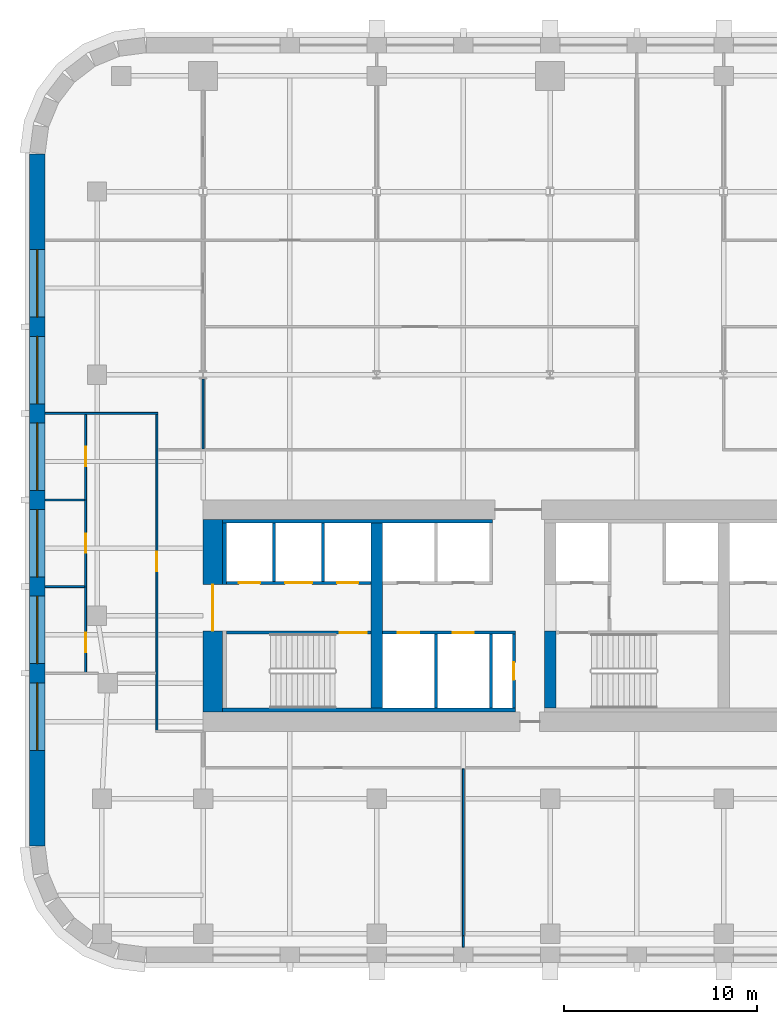
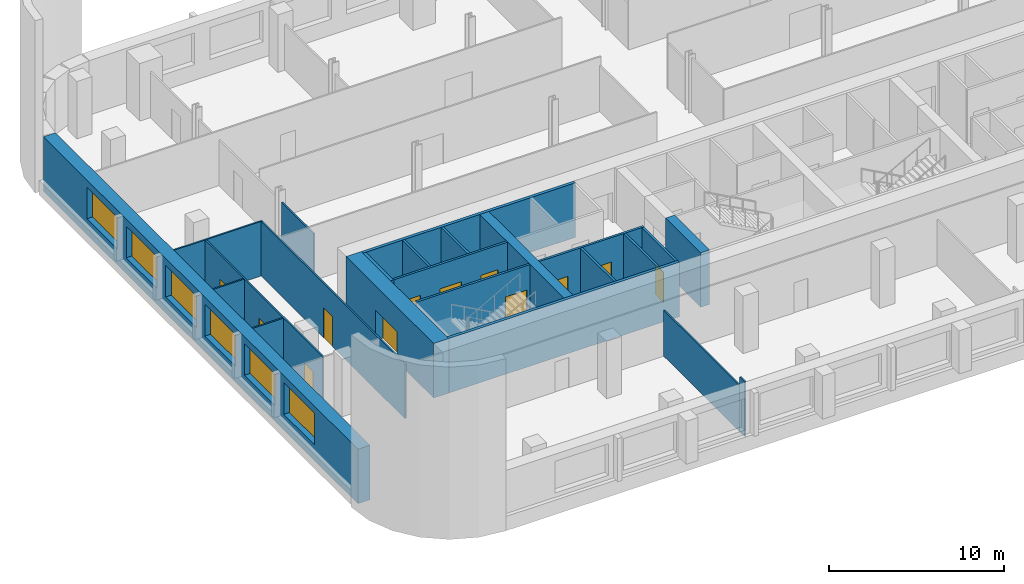
# One storey, part 3 of 10: 23 walls, 12 doors, 6 windows, 18 openings.
"""IFC4 building model written with IfcOpenShell, lengths in metres."""

from ifc_helpers import new_model, si_unit, direction, frame, frame_2d, origin, place, context, subcontext, project, spatial, rectangle, extrude, material, layer, layer_set, type_object, element, fill, save


model = new_model("IFC4")

# Units and contexts
model_context = context("Model", 3, precision=1e-05, world=origin(), true_north=direction((0.0, 1.0)))
body_context = subcontext(model_context, "Body", "Model", "MODEL_VIEW")
ifc_project = project(units=[si_unit("LENGTHUNIT", "METRE"), si_unit("AREAUNIT", "SQUARE_METRE"), si_unit("VOLUMEUNIT", "CUBIC_METRE"), si_unit("PLANEANGLEUNIT", "RADIAN"), si_unit("MASSUNIT", "GRAM", prefix="KILO")], contexts=[model_context])

# Site, building, storey
site_placement = place(None, origin())
site = spatial("IfcSite", under=ifc_project, at=site_placement, CompositionType="ELEMENT")
building_placement = place(site_placement, origin())
building = spatial("IfcBuilding", under=site, at=building_placement, Name="Zellij Exchange Tower", CompositionType="ELEMENT")
storey_placement = place(building_placement, frame((0.0, 0.0, 120.5)))
storey = spatial("IfcBuildingStorey", under=building, at=storey_placement, Name="L26", CompositionType="ELEMENT", Elevation=120.5)

# Walls
ifc_material_1 = material(Name="Concrete C70/85", Category="concrete")
ifc_layer_1 = layer(ifc_material_1, 0.60009765625)
ifc_layer_set_1 = layer_set([ifc_layer_1], Name="Concrete C70/85")
wall_type_1 = type_object("IfcWallType", Name="CORE-CW 600 C70/85", PredefinedType="SHEAR", material=ifc_layer_set_1)
wall_1_placement = place(storey_placement, frame((-18.0, -12.800048828125, 0.0), z_axis=(0.0, 0.0, 1.0), x_axis=(0.0, 1.0, 0.0)))
element("IfcWall", 1, at=wall_1_placement, inside=storey, type_object=wall_type_1, Name="Core cross wall x -18 L26", PredefinedType="SHEAR", context=body_context, shape_type="SweptSolid", body=[
    extrude(rectangle(XDim=9.60009765625, YDim=0.60009765625, at=frame_2d((4.800048828125, 0.0))), origin(), (0.0, 0.0, 1.0), 3.800048828125),
])
wall_2_placement = place(storey_placement, frame((-9.0, -12.800048828125, 0.0), z_axis=(0.0, 0.0, 1.0), x_axis=(0.0, 1.0, 0.0)))
element("IfcWall", 2, at=wall_2_placement, inside=storey, type_object=wall_type_1, Name="Core cross wall pier x -9 a L26", PredefinedType="SHEAR", context=body_context, shape_type="SweptSolid", body=[
    extrude(rectangle(XDim=4.0, YDim=0.60009765625, at=frame_2d((2.0, 0.0))), origin(), (0.0, 0.0, 1.0), 3.800048828125),
])
ifc_material_2 = material(Name="Concrete C30/37", Category="concrete")
ifc_layer_2 = layer(ifc_material_2, 0.199951171875)
ifc_layer_set_2 = layer_set([ifc_layer_2], Name="Concrete C30/37")
wall_type_2 = type_object("IfcWallType", Name="CORE-LW 200 C30/37", PredefinedType="SHEAR", material=ifc_layer_set_2)
wall_3_placement = place(storey_placement, frame((-26.0, -3.10009765625, 0.0), z_axis=(0.0, 0.0, 1.0), x_axis=(1.0, 0.0, 0.0)))
element("IfcWall", 3, at=wall_3_placement, inside=storey, type_object=wall_type_2, Name="Core wall lining front.0 L26", PredefinedType="SHEAR", context=body_context, shape_type="SweptSolid", body=[
    extrude(rectangle(XDim=14.0, YDim=0.199951171875, at=frame_2d((7.0, 0.0))), origin(), (0.0, 0.0, 1.0), 3.800048828125),
])
wall_4_placement = place(storey_placement, frame((-26.0, -12.89990234375, 0.0), z_axis=(0.0, 0.0, 1.0), x_axis=(1.0, 0.0, 0.0)))
element("IfcWall", 4, at=wall_4_placement, inside=storey, type_object=wall_type_2, Name="Core wall lining rear.0 L26", PredefinedType="SHEAR", context=body_context, shape_type="SweptSolid", body=[
    extrude(rectangle(XDim=15.199951171875, YDim=0.199951171875, at=frame_2d((7.60009765625, 0.0))), origin(), (0.0, 0.0, 1.0), 3.800048828125),
])
wall_5_placement = place(storey_placement, frame((-25.89990234375, -6.375, 0.0), z_axis=(0.0, 0.0, 1.0), x_axis=(0.0, 1.0, 0.0)))
element("IfcWall", 5, at=wall_5_placement, inside=storey, type_object=wall_type_2, Name="Core wall lining end w.1 L26", PredefinedType="SHEAR", context=body_context, shape_type="SweptSolid", body=[
    extrude(rectangle(XDim=3.175048828125, YDim=0.199951171875, at=frame_2d((1.58740234375, 0.0))), origin(), (0.0, 0.0, 1.0), 3.800048828125),
])

# Wall, opening, door
ifc_material_3 = material(Name="Gypsum board partition")
ifc_layer_3 = layer(ifc_material_3, 0.14990234375)
ifc_layer_set_3 = layer_set([ifc_layer_3], Name="Gypsum board partition")
wall_type_3 = type_object("IfcWallType", Name="CORE-PW 150 Lift lobby wall", PredefinedType="PARTITIONING", material=ifc_layer_set_3)
wall_6_placement = place(storey_placement, frame((-10.875, -12.800048828125, 0.0), z_axis=(0.0, 0.0, 1.0), x_axis=(0.0, 1.0, 0.0)))
wall_6 = element("IfcWall", 6, at=wall_6_placement, inside=storey, type_object=wall_type_3, Name="Lift lobby wall L26", PredefinedType="PARTITIONING", context=body_context, shape_type="SweptSolid", body=[
    extrude(rectangle(XDim=3.85009765625, YDim=0.14990234375, at=frame_2d((1.925048828125, 0.0))), origin(), (0.0, 0.0, 1.0), 3.800048828125),
])
opening_1_placement = place(wall_6_placement, frame((1.47509765625, 0.0, 0.0)))
opening_1 = element("IfcOpeningElement", 7, at=opening_1_placement, cuts=wall_6, Name="Opening CA-14.10", PredefinedType="OPENING", context=body_context, shape_type="SweptSolid", body=[
    extrude(rectangle(XDim=0.89990234375, YDim=2.10009765625, at=frame_2d((0.449951171875, 1.050048828125))), frame((0.0, 0.0869140625, 0.0), z_axis=(0.0, -1.0, 0.0), x_axis=(1.0, 0.0, 0.0)), (0.0, 0.0, 1.0), 0.173828125),
])
ifc_material_4 = material(Name="Hollow metal fire door")
door_type_1 = type_object("IfcDoorType", Name="CORE-D RD Riser door 900x2100 1.5 HR", OperationType="NOTDEFINED", PredefinedType="DOOR", material=ifc_material_4)
door_1_placement = place(opening_1_placement, origin())
door_1 = element("IfcDoor", 8, at=door_1_placement, inside=storey, type_object=door_type_1, Name="Riser door CA-14.10", OperationType="SINGLE_SWING_RIGHT", OverallHeight=2.10009765625, OverallWidth=0.89990234375, PredefinedType="DOOR", context=body_context, shape_type="SweptSolid", body=[
    extrude(rectangle(XDim=0.89990234375, YDim=2.10009765625, at=frame_2d((0.449951171875, 1.050048828125))), frame((0.0, 0.02490234375, 0.0), z_axis=(0.0, -1.0, 0.0), x_axis=(1.0, 0.0, 0.0)), (0.0, 0.0, 1.0), 0.050048828125),
])
fill(opening_1, door_1)

# Walls
ifc_material_5 = material(Name="Gypsum shaft wall system")
ifc_layer_4 = layer(ifc_material_5, 0.14990234375)
ifc_layer_set_4 = layer_set([ifc_layer_4], Name="Gypsum shaft wall system")
wall_type_4 = type_object("IfcWallType", Name="CORE-PW 150 Lift shaft wall", PredefinedType="PARTITIONING", material=ifc_layer_set_4)
for number, where, z_axis, x_axis, name in (
    (9, (-20.77490234375, -6.22509765625, 0.0), (0.0, 0.0, 1.0), (0.0, 1.0, 0.0), "Lift shaft wall L26"),
    (10, (-23.324951171875, -6.22509765625, 0.0), (0.0, 0.0, 1.0), (0.0, 1.0, 0.0), "Lift shaft wall L26"),
):
    element("IfcWall", number, at=place(storey_placement, frame(where, z_axis=z_axis, x_axis=x_axis)), inside=storey, type_object=wall_type_4, Name=name, PredefinedType="PARTITIONING", context=body_context, shape_type="SweptSolid", body=[
        extrude(rectangle(XDim=3.025146484375, YDim=0.14990234375, at=frame_2d((1.5126953125, 0.0))), origin(), (0.0, 0.0, 1.0), 3.800048828125),
    ])
for number, where, z_axis, x_axis, name in (
    (11, (-12.074951171875, -12.800048828125, 0.0), (0.0, 0.0, 1.0), (0.0, 1.0, 0.0), "Lift shaft wall L26"),
    (12, (-14.925048828125, -12.800048828125, 0.0), (0.0, 0.0, 1.0), (0.0, 1.0, 0.0), "Lift shaft wall L26"),
):
    element("IfcWall", number, at=place(storey_placement, frame(where, z_axis=z_axis, x_axis=x_axis)), inside=storey, type_object=wall_type_4, Name=name, PredefinedType="PARTITIONING", context=body_context, shape_type="SweptSolid", body=[
        extrude(rectangle(XDim=3.85009765625, YDim=0.14990234375, at=frame_2d((1.925048828125, 0.0))), origin(), (0.0, 0.0, 1.0), 3.800048828125),
    ])

# Wall, openings, doors
wall_7_placement = place(storey_placement, frame((-25.800048828125, -6.300048828125, 0.0), z_axis=(0.0, 0.0, 1.0), x_axis=(1.0, 0.0, 0.0)))
wall_7 = element("IfcWall", 13, at=wall_7_placement, inside=storey, type_object=wall_type_4, Name="Lift shaft wall L26", PredefinedType="PARTITIONING", context=body_context, shape_type="SweptSolid", body=[
    extrude(rectangle(XDim=7.5, YDim=0.14990234375, at=frame_2d((3.75, 0.0))), origin(), (0.0, 0.0, 1.0), 3.800048828125),
])
opening_2_placement = place(wall_7_placement, frame((0.64990234375, 0.0, 0.0)))
opening_2 = element("IfcOpeningElement", 14, at=opening_2_placement, cuts=wall_7, Name="Opening CA-14.02", PredefinedType="OPENING", context=body_context, shape_type="SweptSolid", body=[
    extrude(rectangle(XDim=1.10009765625, YDim=2.10009765625, at=frame_2d((0.550048828125, 1.050048828125))), frame((0.0, 0.0869140625, 0.0), z_axis=(0.0, -1.0, 0.0), x_axis=(1.0, 0.0, 0.0)), (0.0, 0.0, 1.0), 0.173828125),
])
opening_3_placement = place(wall_7_placement, frame((3.050048828125, 0.0, 0.0)))
opening_3 = element("IfcOpeningElement", 15, at=opening_3_placement, cuts=wall_7, Name="Opening CA-14.03", PredefinedType="OPENING", context=body_context, shape_type="SweptSolid", body=[
    extrude(rectangle(XDim=1.39990234375, YDim=2.10009765625, at=frame_2d((0.699951171875, 1.050048828125))), frame((0.0, 0.0869140625, 0.0), z_axis=(0.0, -1.0, 0.0), x_axis=(1.0, 0.0, 0.0)), (0.0, 0.0, 1.0), 0.173828125),
])
opening_4_placement = place(wall_7_placement, frame((5.75, 0.0, 0.0)))
opening_4 = element("IfcOpeningElement", 16, at=opening_4_placement, cuts=wall_7, Name="Opening CA-14.04", PredefinedType="OPENING", context=body_context, shape_type="SweptSolid", body=[
    extrude(rectangle(XDim=1.10009765625, YDim=2.10009765625, at=frame_2d((0.550048828125, 1.050048828125))), frame((0.0, 0.0869140625, 0.0), z_axis=(0.0, -1.0, 0.0), x_axis=(1.0, 0.0, 0.0)), (0.0, 0.0, 1.0), 0.173828125),
])
door_type_2 = type_object("IfcDoorType", Name="CORE-D LD Lift landing door 1100x2100 1.5 HR", OperationType="NOTDEFINED", PredefinedType="DOOR", material=ifc_material_4)
door_2_placement = place(opening_2_placement, origin())
door_2 = element("IfcDoor", 17, at=door_2_placement, inside=storey, type_object=door_type_2, Name="Lift landing door CA-14.02", OperationType="SLIDING_TO_RIGHT", OverallHeight=2.10009765625, OverallWidth=1.10009765625, PredefinedType="DOOR", context=body_context, shape_type="SweptSolid", body=[
    extrude(rectangle(XDim=1.10009765625, YDim=2.10009765625, at=frame_2d((0.550048828125, 1.050048828125))), frame((0.0, 0.02490234375, 0.0), z_axis=(0.0, -1.0, 0.0), x_axis=(1.0, 0.0, 0.0)), (0.0, 0.0, 1.0), 0.050048828125),
])
fill(opening_2, door_2)
door_3_placement = place(opening_4_placement, origin())
door_3 = element("IfcDoor", 18, at=door_3_placement, inside=storey, type_object=door_type_2, Name="Lift landing door CA-14.04", OperationType="SLIDING_TO_RIGHT", OverallHeight=2.10009765625, OverallWidth=1.10009765625, PredefinedType="DOOR", context=body_context, shape_type="SweptSolid", body=[
    extrude(rectangle(XDim=1.10009765625, YDim=2.10009765625, at=frame_2d((0.550048828125, 1.050048828125))), frame((0.0, 0.02490234375, 0.0), z_axis=(0.0, -1.0, 0.0), x_axis=(1.0, 0.0, 0.0)), (0.0, 0.0, 1.0), 0.050048828125),
])
fill(opening_4, door_3)
door_type_3 = type_object("IfcDoorType", Name="CORE-D LD2 Service lift landing door 1400x2100 1.5 HR", OperationType="NOTDEFINED", PredefinedType="DOOR", material=ifc_material_4)
door_4_placement = place(opening_3_placement, origin())
door_4 = element("IfcDoor", 19, at=door_4_placement, inside=storey, type_object=door_type_3, Name="Service lift landing door CA-14.03", OperationType="SLIDING_TO_LEFT", OverallHeight=2.10009765625, OverallWidth=1.39990234375, PredefinedType="DOOR", context=body_context, shape_type="SweptSolid", body=[
    extrude(rectangle(XDim=1.39990234375, YDim=2.10009765625, at=frame_2d((0.699951171875, 1.050048828125))), frame((0.0, 0.02490234375, 0.0), z_axis=(0.0, -1.0, 0.0), x_axis=(1.0, 0.0, 0.0)), (0.0, 0.0, 1.0), 0.050048828125),
])
fill(opening_3, door_4)

wall_8_placement = place(storey_placement, frame((-17.699951171875, -8.875, 0.0), z_axis=(0.0, 0.0, 1.0), x_axis=(1.0, 0.0, 0.0)))
wall_8 = element("IfcWall", 20, at=wall_8_placement, inside=storey, type_object=wall_type_4, Name="Lift shaft wall L26", PredefinedType="PARTITIONING", context=body_context, shape_type="SweptSolid", body=[
    extrude(rectangle(XDim=6.89990234375, YDim=0.14990234375, at=frame_2d((3.449951171875, 0.0))), origin(), (0.0, 0.0, 1.0), 3.800048828125),
])
opening_5_placement = place(wall_8_placement, frame((0.800048828125, 0.0, 0.0)))
opening_5 = element("IfcOpeningElement", 21, at=opening_5_placement, cuts=wall_8, Name="Opening CA-14.06", PredefinedType="OPENING", context=body_context, shape_type="SweptSolid", body=[
    extrude(rectangle(XDim=1.10009765625, YDim=2.10009765625, at=frame_2d((0.550048828125, 1.050048828125))), frame((0.0, 0.0869140625, 0.0), z_axis=(0.0, -1.0, 0.0), x_axis=(1.0, 0.0, 0.0)), (0.0, 0.0, 1.0), 0.173828125),
])
opening_6_placement = place(wall_8_placement, frame((3.64990234375, 0.0, 0.0)))
opening_6 = element("IfcOpeningElement", 22, at=opening_6_placement, cuts=wall_8, Name="Opening CA-14.08", PredefinedType="OPENING", context=body_context, shape_type="SweptSolid", body=[
    extrude(rectangle(XDim=1.10009765625, YDim=2.10009765625, at=frame_2d((0.550048828125, 1.050048828125))), frame((0.0, 0.0869140625, 0.0), z_axis=(0.0, -1.0, 0.0), x_axis=(1.0, 0.0, 0.0)), (0.0, 0.0, 1.0), 0.173828125),
])
door_5_placement = place(opening_5_placement, origin())
door_5 = element("IfcDoor", 23, at=door_5_placement, inside=storey, type_object=door_type_2, Name="Lift landing door CA-14.06", OperationType="SLIDING_TO_RIGHT", OverallHeight=2.10009765625, OverallWidth=1.10009765625, PredefinedType="DOOR", context=body_context, shape_type="SweptSolid", body=[
    extrude(rectangle(XDim=1.10009765625, YDim=2.10009765625, at=frame_2d((0.550048828125, 1.050048828125))), frame((0.0, 0.02490234375, 0.0), z_axis=(0.0, -1.0, 0.0), x_axis=(1.0, 0.0, 0.0)), (0.0, 0.0, 1.0), 0.050048828125),
])
fill(opening_5, door_5)
door_6_placement = place(opening_6_placement, origin())
door_6 = element("IfcDoor", 24, at=door_6_placement, inside=storey, type_object=door_type_2, Name="Lift landing door CA-14.08", OperationType="SLIDING_TO_RIGHT", OverallHeight=2.10009765625, OverallWidth=1.10009765625, PredefinedType="DOOR", context=body_context, shape_type="SweptSolid", body=[
    extrude(rectangle(XDim=1.10009765625, YDim=2.10009765625, at=frame_2d((0.550048828125, 1.050048828125))), frame((0.0, 0.02490234375, 0.0), z_axis=(0.0, -1.0, 0.0), x_axis=(1.0, 0.0, 0.0)), (0.0, 0.0, 1.0), 0.050048828125),
])
fill(opening_6, door_6)

# Wall, opening, door
ifc_layer_5 = layer(ifc_material_1, 1.0)
ifc_layer_set_5 = layer_set([ifc_layer_5], Name="Concrete C70/85")
wall_type_5 = type_object("IfcWallType", Name="CORE-SW 1000 C70/85", PredefinedType="SHEAR", material=ifc_layer_set_5)
wall_9_placement = place(storey_placement, frame((-26.5, -13.0, 0.0), z_axis=(0.0, 0.0, 1.0), x_axis=(0.0, 1.0, 0.0)))
wall_9 = element("IfcWall", 25, at=wall_9_placement, inside=storey, type_object=wall_type_5, Name="Core shear wall end w L26", PredefinedType="SHEAR", context=body_context, shape_type="SweptSolid", body=[
    extrude(rectangle(XDim=10.0, YDim=1.0, at=frame_2d((5.0, 0.0))), origin(), (0.0, 0.0, 1.0), 3.800048828125),
])
opening_7_placement = place(wall_9_placement, frame((4.2119140625, 0.0, 0.0)))
opening_7 = element("IfcOpeningElement", 26, at=opening_7_placement, cuts=wall_9, Name="Opening CA-14.01", PredefinedType="OPENING", context=body_context, shape_type="SweptSolid", body=[
    extrude(rectangle(XDim=2.39990234375, YDim=2.10009765625, at=frame_2d((1.199951171875, 1.050048828125))), frame((0.0, 0.511962890625, 0.0), z_axis=(0.0, -1.0, 0.0), x_axis=(1.0, 0.0, 0.0)), (0.0, 0.0, 1.0), 1.02392578125),
])
door_type_4 = type_object("IfcDoorType", Name="CORE-D CE Core entrance door 2400x2100 20 MIN", OperationType="NOTDEFINED", PredefinedType="DOOR", material=ifc_material_4)
door_7_placement = place(opening_7_placement, origin())
door_7 = element("IfcDoor", 27, at=door_7_placement, inside=storey, type_object=door_type_4, Name="Core entrance door CA-14.01", OperationType="DOUBLE_DOOR_SINGLE_SWING", OverallHeight=2.10009765625, OverallWidth=2.39990234375, PredefinedType="DOOR", context=body_context, shape_type="SweptSolid", body=[
    extrude(rectangle(XDim=2.39990234375, YDim=2.10009765625, at=frame_2d((1.199951171875, 1.050048828125))), frame((0.0, 0.02490234375, 0.0), z_axis=(0.0, -1.0, 0.0), x_axis=(1.0, 0.0, 0.0)), (0.0, 0.0, 1.0), 0.050048828125),
])
fill(opening_7, door_7)

ifc_layer_6 = layer(ifc_material_1, 0.14990234375)
ifc_layer_set_6 = layer_set([ifc_layer_6], Name="Concrete C70/85")
wall_type_6 = type_object("IfcWallType", Name="CORE-SWS 150 C70/85", PredefinedType="SHEAR", material=ifc_layer_set_6)
wall_10_placement = place(storey_placement, frame((-25.800048828125, -8.875, 0.0), z_axis=(0.0, 0.0, 1.0), x_axis=(1.0, 0.0, 0.0)))
wall_10 = element("IfcWall", 28, at=wall_10_placement, inside=storey, type_object=wall_type_6, Name="Stair enclosure wall L26", PredefinedType="SHEAR", context=body_context, shape_type="SweptSolid", body=[
    extrude(rectangle(XDim=7.5, YDim=0.14990234375, at=frame_2d((3.75, 0.0))), origin(), (0.0, 0.0, 1.0), 3.800048828125),
])
opening_8_placement = place(wall_10_placement, frame((5.875, 0.0, 0.0)))
opening_8 = element("IfcOpeningElement", 29, at=opening_8_placement, cuts=wall_10, Name="Opening CA-14.05", PredefinedType="OPENING", context=body_context, shape_type="SweptSolid", body=[
    extrude(rectangle(XDim=1.39990234375, YDim=2.10009765625, at=frame_2d((0.699951171875, 1.050048828125))), frame((0.0, 0.0869140625, 0.0), z_axis=(0.0, -1.0, 0.0), x_axis=(1.0, 0.0, 0.0)), (0.0, 0.0, 1.0), 0.173828125),
])
door_type_5 = type_object("IfcDoorType", Name="CORE-D SD Stair door 1400x2100 1.5 HR", OperationType="NOTDEFINED", PredefinedType="DOOR", material=ifc_material_4)
door_8_placement = place(opening_8_placement, origin())
door_8 = element("IfcDoor", 30, at=door_8_placement, inside=storey, type_object=door_type_5, Name="Stair door CA-14.05", OperationType="DOUBLE_DOOR_SINGLE_SWING", OverallHeight=2.10009765625, OverallWidth=1.39990234375, PredefinedType="DOOR", context=body_context, shape_type="SweptSolid", body=[
    extrude(rectangle(XDim=1.39990234375, YDim=2.10009765625, at=frame_2d((0.699951171875, 1.050048828125))), frame((0.0, 0.02490234375, 0.0), z_axis=(0.0, -1.0, 0.0), x_axis=(1.0, 0.0, 0.0)), (0.0, 0.0, 1.0), 0.050048828125),
])
fill(opening_8, door_8)

# Wall, openings, windows
ifc_material_6 = material(Name="Precast concrete C40/50", Category="concrete")
ifc_layer_7 = layer(ifc_material_6, 0.800048828125)
ifc_layer_set_7 = layer_set([ifc_layer_7], Name="Precast concrete C40/50")
wall_type_7 = type_object("IfcWallType", Name="ENV-EW1 Precast stone-piered wall 800", PredefinedType="SOLIDWALL", material=ifc_layer_set_7)
wall_11_placement = place(storey_placement, frame((-35.60009765625, 15.947509765625, 0.0), z_axis=(0.0, 0.0, 1.0), x_axis=(0.0, -1.0, 0.0)))
wall_11 = element("IfcWall", 31, at=wall_11_placement, inside=storey, type_object=wall_type_7, Name="fac.L26.26", PredefinedType="SOLIDWALL", context=body_context, shape_type="SweptSolid", body=[
    extrude(rectangle(XDim=35.89501953125, YDim=0.800048828125, at=frame_2d((17.947509765625, 0.0))), origin(), (0.0, 0.0, 1.0), 3.800048828125),
])
opening_9_placement = place(wall_11_placement, frame((4.9638671875, 0.0, 1.10009765625)))
opening_9 = element("IfcOpeningElement", 32, at=opening_9_placement, cuts=wall_11, Name="Opening FZ2.31", PredefinedType="OPENING", context=body_context, shape_type="SweptSolid", body=[
    extrude(rectangle(XDim=3.5, YDim=2.199951171875, at=frame_2d((1.75, 1.10009765625))), frame((0.0, 0.412109375, 0.0), z_axis=(0.0, -1.0, 0.0), x_axis=(1.0, 0.0, 0.0)), (0.0, 0.0, 1.0), 0.823974609375),
])
opening_10_placement = place(wall_11_placement, frame((9.45751953125, 0.0, 1.10009765625)))
opening_10 = element("IfcOpeningElement", 33, at=opening_10_placement, cuts=wall_11, Name="Opening FZ2.32", PredefinedType="OPENING", context=body_context, shape_type="SweptSolid", body=[
    extrude(rectangle(XDim=3.5, YDim=2.199951171875, at=frame_2d((1.75, 1.10009765625))), frame((0.0, 0.412109375, 0.0), z_axis=(0.0, -1.0, 0.0), x_axis=(1.0, 0.0, 0.0)), (0.0, 0.0, 1.0), 0.823974609375),
])
opening_11_placement = place(wall_11_placement, frame((13.950927734375, 0.0, 1.10009765625)))
opening_11 = element("IfcOpeningElement", 34, at=opening_11_placement, cuts=wall_11, Name="Opening FZ2.33", PredefinedType="OPENING", context=body_context, shape_type="SweptSolid", body=[
    extrude(rectangle(XDim=3.5, YDim=2.199951171875, at=frame_2d((1.75, 1.10009765625))), frame((0.0, 0.412109375, 0.0), z_axis=(0.0, -1.0, 0.0), x_axis=(1.0, 0.0, 0.0)), (0.0, 0.0, 1.0), 0.823974609375),
])
opening_12_placement = place(wall_11_placement, frame((18.4443359375, 0.0, 1.10009765625)))
opening_12 = element("IfcOpeningElement", 35, at=opening_12_placement, cuts=wall_11, Name="Opening FZ2.34", PredefinedType="OPENING", context=body_context, shape_type="SweptSolid", body=[
    extrude(rectangle(XDim=3.5, YDim=2.199951171875, at=frame_2d((1.75, 1.10009765625))), frame((0.0, 0.412109375, 0.0), z_axis=(0.0, -1.0, 0.0), x_axis=(1.0, 0.0, 0.0)), (0.0, 0.0, 1.0), 0.823974609375),
])
opening_13_placement = place(wall_11_placement, frame((22.937744140625, 0.0, 1.10009765625)))
opening_13 = element("IfcOpeningElement", 36, at=opening_13_placement, cuts=wall_11, Name="Opening FZ2.35", PredefinedType="OPENING", context=body_context, shape_type="SweptSolid", body=[
    extrude(rectangle(XDim=3.5, YDim=2.199951171875, at=frame_2d((1.75, 1.10009765625))), frame((0.0, 0.412109375, 0.0), z_axis=(0.0, -1.0, 0.0), x_axis=(1.0, 0.0, 0.0)), (0.0, 0.0, 1.0), 0.823974609375),
])
opening_14_placement = place(wall_11_placement, frame((27.43115234375, 0.0, 1.10009765625)))
opening_14 = element("IfcOpeningElement", 37, at=opening_14_placement, cuts=wall_11, Name="Opening FZ2.36", PredefinedType="OPENING", context=body_context, shape_type="SweptSolid", body=[
    extrude(rectangle(XDim=3.5, YDim=2.199951171875, at=frame_2d((1.75, 1.10009765625))), frame((0.0, 0.412109375, 0.0), z_axis=(0.0, -1.0, 0.0), x_axis=(1.0, 0.0, 0.0)), (0.0, 0.0, 1.0), 0.823974609375),
])
ifc_material_7 = material(Name="Aluminium frame with insulating glass", Category="aluminium")
window_type = type_object("IfcWindowType", Name="ENV-W7 Window 3500x2200", PartitioningType="SINGLE_PANEL", PredefinedType="WINDOW", material=ifc_material_7)
window_1_placement = place(opening_9_placement, origin())
window_1 = element("IfcWindow", 38, at=window_1_placement, inside=storey, type_object=window_type, Name="Window FZ2.31", OverallHeight=2.199951171875, OverallWidth=3.5, PartitioningType="SINGLE_PANEL", PredefinedType="WINDOW", context=body_context, shape_type="SweptSolid", body=[
    extrude(rectangle(XDim=3.5, YDim=2.199951171875, at=frame_2d((1.75, 1.10009765625))), frame((0.0, 0.030029296875, 0.0), z_axis=(0.0, -1.0, 0.0), x_axis=(1.0, 0.0, 0.0)), (0.0, 0.0, 1.0), 0.06005859375),
])
fill(opening_9, window_1)
window_2_placement = place(opening_10_placement, origin())
window_2 = element("IfcWindow", 39, at=window_2_placement, inside=storey, type_object=window_type, Name="Window FZ2.32", OverallHeight=2.199951171875, OverallWidth=3.5, PartitioningType="SINGLE_PANEL", PredefinedType="WINDOW", context=body_context, shape_type="SweptSolid", body=[
    extrude(rectangle(XDim=3.5, YDim=2.199951171875, at=frame_2d((1.75, 1.10009765625))), frame((0.0, 0.030029296875, 0.0), z_axis=(0.0, -1.0, 0.0), x_axis=(1.0, 0.0, 0.0)), (0.0, 0.0, 1.0), 0.06005859375),
])
fill(opening_10, window_2)
window_3_placement = place(opening_11_placement, origin())
window_3 = element("IfcWindow", 40, at=window_3_placement, inside=storey, type_object=window_type, Name="Window FZ2.33", OverallHeight=2.199951171875, OverallWidth=3.5, PartitioningType="SINGLE_PANEL", PredefinedType="WINDOW", context=body_context, shape_type="SweptSolid", body=[
    extrude(rectangle(XDim=3.5, YDim=2.199951171875, at=frame_2d((1.75, 1.10009765625))), frame((0.0, 0.030029296875, 0.0), z_axis=(0.0, -1.0, 0.0), x_axis=(1.0, 0.0, 0.0)), (0.0, 0.0, 1.0), 0.06005859375),
])
fill(opening_11, window_3)
window_4_placement = place(opening_12_placement, origin())
window_4 = element("IfcWindow", 41, at=window_4_placement, inside=storey, type_object=window_type, Name="Window FZ2.34", OverallHeight=2.199951171875, OverallWidth=3.5, PartitioningType="SINGLE_PANEL", PredefinedType="WINDOW", context=body_context, shape_type="SweptSolid", body=[
    extrude(rectangle(XDim=3.5, YDim=2.199951171875, at=frame_2d((1.75, 1.10009765625))), frame((0.0, 0.030029296875, 0.0), z_axis=(0.0, -1.0, 0.0), x_axis=(1.0, 0.0, 0.0)), (0.0, 0.0, 1.0), 0.06005859375),
])
fill(opening_12, window_4)
window_5_placement = place(opening_13_placement, origin())
window_5 = element("IfcWindow", 42, at=window_5_placement, inside=storey, type_object=window_type, Name="Window FZ2.35", OverallHeight=2.199951171875, OverallWidth=3.5, PartitioningType="SINGLE_PANEL", PredefinedType="WINDOW", context=body_context, shape_type="SweptSolid", body=[
    extrude(rectangle(XDim=3.5, YDim=2.199951171875, at=frame_2d((1.75, 1.10009765625))), frame((0.0, 0.030029296875, 0.0), z_axis=(0.0, -1.0, 0.0), x_axis=(1.0, 0.0, 0.0)), (0.0, 0.0, 1.0), 0.06005859375),
])
fill(opening_13, window_5)
window_6_placement = place(opening_14_placement, origin())
window_6 = element("IfcWindow", 43, at=window_6_placement, inside=storey, type_object=window_type, Name="Window FZ2.36", OverallHeight=2.199951171875, OverallWidth=3.5, PartitioningType="SINGLE_PANEL", PredefinedType="WINDOW", context=body_context, shape_type="SweptSolid", body=[
    extrude(rectangle(XDim=3.5, YDim=2.199951171875, at=frame_2d((1.75, 1.10009765625))), frame((0.0, 0.030029296875, 0.0), z_axis=(0.0, -1.0, 0.0), x_axis=(1.0, 0.0, 0.0)), (0.0, 0.0, 1.0), 0.06005859375),
])
fill(opening_14, window_6)

# Walls
ifc_material_8 = material(Name="Gypsum board partition on steel studs", Category="steel")
ifc_layer_8 = layer(ifc_material_8, 0.10009765625)
ifc_layer_set_8 = layer_set([ifc_layer_8], Name="Gypsum board partition on steel studs")
wall_type_8 = type_object("IfcWallType", Name="FIT-PARTITION-100", PredefinedType="PARTITIONING", material=ifc_layer_set_8)
wall_12_placement = place(storey_placement, frame((-13.5, -25.199951171875, 0.0), z_axis=(0.0, 0.0, 1.0), x_axis=(0.0, 1.0, 0.0)))
element("IfcWall", 44, at=wall_12_placement, inside=storey, type_object=wall_type_8, Name="FIT-PARTITION-100 001", PredefinedType="PARTITIONING", context=body_context, shape_type="SweptSolid", body=[
    extrude(rectangle(XDim=0.58544921875, YDim=0.10009765625, at=frame_2d((0.292724609375, 0.0))), origin(), (0.0, 0.0, 1.0), 3.800048828125),
])
wall_13_placement = place(storey_placement, frame((-13.5, -24.614501953125, 0.0), z_axis=(0.0, 0.0, 1.0), x_axis=(0.0, 1.0, 0.0)))
element("IfcWall", 45, at=wall_13_placement, inside=storey, type_object=wall_type_8, Name="FIT-PARTITION-100 002", PredefinedType="PARTITIONING", context=body_context, shape_type="SweptSolid", body=[
    extrude(rectangle(XDim=8.66455078125, YDim=0.10009765625, at=frame_2d((4.332275390625, 0.0))), origin(), (0.0, 0.0, 1.0), 3.197998046875),
])

# Wall, opening, door
wall_14_placement = place(storey_placement, frame((-29.39990234375, -13.949951171875, 0.0), z_axis=(0.0, 0.0, 1.0), x_axis=(0.0, 1.0, 0.0)))
wall_14 = element("IfcWall", 46, at=wall_14_placement, inside=storey, type_object=wall_type_8, Name="FIT-PARTITION-100 011", PredefinedType="PARTITIONING", context=body_context, shape_type="SweptSolid", body=[
    extrude(rectangle(XDim=16.389892578125, YDim=0.10009765625, at=frame_2d((8.19482421875, 0.0))), origin(), (0.0, 0.0, 1.0), 3.800048828125),
])
opening_15_placement = place(wall_14_placement, frame((8.260009765625, 0.0, 0.0)))
opening_15 = element("IfcOpeningElement", 47, at=opening_15_placement, cuts=wall_14, Name="Opening TF.07", PredefinedType="OPENING", context=body_context, shape_type="SweptSolid", body=[
    extrude(rectangle(XDim=1.0, YDim=2.10009765625, at=frame_2d((0.5, 1.050048828125))), frame((0.0, 0.06201171875, 0.0), z_axis=(0.0, -1.0, 0.0), x_axis=(1.0, 0.0, 0.0)), (0.0, 0.0, 1.0), 0.1240234375),
])
ifc_material_9 = material(Name="Timber door set", Category="wood")
door_type_6 = type_object("IfcDoorType", Name="FIT-D2-WIDE-1000X2100", OperationType="SINGLE_SWING_LEFT", PredefinedType="DOOR", material=ifc_material_9)
door_9_placement = place(opening_15_placement, origin())
door_9 = element("IfcDoor", 48, at=door_9_placement, inside=storey, type_object=door_type_6, Name="Door TF.07", OperationType="SINGLE_SWING_RIGHT", OverallHeight=2.10009765625, OverallWidth=1.0, PredefinedType="DOOR", context=body_context, shape_type="SweptSolid", body=[
    extrude(rectangle(XDim=1.0, YDim=2.10009765625, at=frame_2d((0.5, 1.050048828125))), frame((0.0, 0.02490234375, 0.0), z_axis=(0.0, -1.0, 0.0), x_axis=(1.0, 0.0, 0.0)), (0.0, 0.0, 1.0), 0.050048828125),
])
fill(opening_15, door_9)

# Wall, openings, doors
wall_15_placement = place(storey_placement, frame((-33.10009765625, -10.93994140625, 0.0), z_axis=(0.0, 0.0, 1.0), x_axis=(0.0, 1.0, 0.0)))
wall_15 = element("IfcWall", 49, at=wall_15_placement, inside=storey, type_object=wall_type_8, Name="FIT-PARTITION-100 016", PredefinedType="PARTITIONING", context=body_context, shape_type="SweptSolid", body=[
    extrude(rectangle(XDim=13.3798828125, YDim=0.10009765625, at=frame_2d((6.68994140625, 0.0))), origin(), (0.0, 0.0, 1.0), 3.800048828125),
])
opening_16_placement = place(wall_15_placement, frame((1.050048828125, 0.0, 0.0)))
opening_16 = element("IfcOpeningElement", 50, at=opening_16_placement, cuts=wall_15, Name="Opening TF.05", PredefinedType="OPENING", context=body_context, shape_type="SweptSolid", body=[
    extrude(rectangle(XDim=1.0, YDim=2.10009765625, at=frame_2d((0.5, 1.050048828125))), frame((0.0, 0.06201171875, 0.0), z_axis=(0.0, -1.0, 0.0), x_axis=(1.0, 0.0, 0.0)), (0.0, 0.0, 1.0), 0.1240234375),
])
opening_17_placement = place(wall_15_placement, frame((6.199951171875, 0.0, 0.0)))
opening_17 = element("IfcOpeningElement", 51, at=opening_17_placement, cuts=wall_15, Name="Opening TF.08", PredefinedType="OPENING", context=body_context, shape_type="SweptSolid", body=[
    extrude(rectangle(XDim=1.0, YDim=2.10009765625, at=frame_2d((0.5, 1.050048828125))), frame((0.0, 0.06201171875, 0.0), z_axis=(0.0, -1.0, 0.0), x_axis=(1.0, 0.0, 0.0)), (0.0, 0.0, 1.0), 0.1240234375),
])
opening_18_placement = place(wall_15_placement, frame((10.68994140625, 0.0, 0.0)))
opening_18 = element("IfcOpeningElement", 52, at=opening_18_placement, cuts=wall_15, Name="Opening TF.09", PredefinedType="OPENING", context=body_context, shape_type="SweptSolid", body=[
    extrude(rectangle(XDim=1.0, YDim=2.10009765625, at=frame_2d((0.5, 1.050048828125))), frame((0.0, 0.06201171875, 0.0), z_axis=(0.0, -1.0, 0.0), x_axis=(1.0, 0.0, 0.0)), (0.0, 0.0, 1.0), 0.1240234375),
])
door_10_placement = place(opening_16_placement, origin())
door_10 = element("IfcDoor", 53, at=door_10_placement, inside=storey, type_object=door_type_6, Name="Door TF.05", OperationType="SINGLE_SWING_RIGHT", OverallHeight=2.10009765625, OverallWidth=1.0, PredefinedType="DOOR", context=body_context, shape_type="SweptSolid", body=[
    extrude(rectangle(XDim=1.0, YDim=2.10009765625, at=frame_2d((0.5, 1.050048828125))), frame((0.0, 0.02490234375, 0.0), z_axis=(0.0, -1.0, 0.0), x_axis=(1.0, 0.0, 0.0)), (0.0, 0.0, 1.0), 0.050048828125),
])
fill(opening_16, door_10)
door_11_placement = place(opening_17_placement, origin())
door_11 = element("IfcDoor", 54, at=door_11_placement, inside=storey, type_object=door_type_6, Name="Door TF.08", OperationType="SINGLE_SWING_LEFT", OverallHeight=2.10009765625, OverallWidth=1.0, PredefinedType="DOOR", context=body_context, shape_type="SweptSolid", body=[
    extrude(rectangle(XDim=1.0, YDim=2.10009765625, at=frame_2d((0.5, 1.050048828125))), frame((0.0, 0.02490234375, 0.0), z_axis=(0.0, -1.0, 0.0), x_axis=(1.0, 0.0, 0.0)), (0.0, 0.0, 1.0), 0.050048828125),
])
fill(opening_17, door_11)
door_12_placement = place(opening_18_placement, origin())
door_12 = element("IfcDoor", 55, at=door_12_placement, inside=storey, type_object=door_type_6, Name="Door TF.09", OperationType="SINGLE_SWING_LEFT", OverallHeight=2.10009765625, OverallWidth=1.0, PredefinedType="DOOR", context=body_context, shape_type="SweptSolid", body=[
    extrude(rectangle(XDim=1.0, YDim=2.10009765625, at=frame_2d((0.5, 1.050048828125))), frame((0.0, 0.02490234375, 0.0), z_axis=(0.0, -1.0, 0.0), x_axis=(1.0, 0.0, 0.0)), (0.0, 0.0, 1.0), 0.050048828125),
])
fill(opening_18, door_12)

# Walls
for number, where, z_axis, x_axis, name in (
    (56, (-35.199951171875, -6.489990234375, 0.0), (0.0, 0.0, 1.0), (1.0, 0.0, 0.0), "FIT-PARTITION-100 018"),
    (57, (-35.199951171875, -2.0, 0.0), (0.0, 0.0, 1.0), (1.0, 0.0, 0.0), "FIT-PARTITION-100 021"),
):
    element("IfcWall", number, at=place(storey_placement, frame(where, z_axis=z_axis, x_axis=x_axis)), inside=storey, type_object=wall_type_8, Name=name, PredefinedType="PARTITIONING", context=body_context, shape_type="SweptSolid", body=[
        extrude(rectangle(XDim=2.050048828125, YDim=0.10009765625, at=frame_2d((1.02490234375, 0.0))), origin(), (0.0, 0.0, 1.0), 3.800048828125),
    ])
wall_16_placement = place(storey_placement, frame((-27.0, 0.64990234375, 0.0), z_axis=(0.0, 0.0, 1.0), x_axis=(0.0, 1.0, 0.0)))
element("IfcWall", 58, at=wall_16_placement, inside=storey, type_object=wall_type_8, Name="FIT-PARTITION-100 024", PredefinedType="PARTITIONING", context=body_context, shape_type="SweptSolid", body=[
    extrude(rectangle(XDim=3.622802734375, YDim=0.10009765625, at=frame_2d((1.8115234375, 0.0))), origin(), (0.0, 0.0, 1.0), 3.18798828125),
])
wall_17_placement = place(storey_placement, frame((-35.199951171875, 2.489990234375, 0.0), z_axis=(0.0, 0.0, 1.0), x_axis=(1.0, 0.0, 0.0)))
element("IfcWall", 59, at=wall_17_placement, inside=storey, type_object=wall_type_8, Name="FIT-PARTITION-100 033", PredefinedType="PARTITIONING", context=body_context, shape_type="SweptSolid", body=[
    extrude(rectangle(XDim=5.849853515625, YDim=0.10009765625, at=frame_2d((2.9248046875, 0.0))), origin(), (0.0, 0.0, 1.0), 3.800048828125),
])

save(model, "model.ifc")
